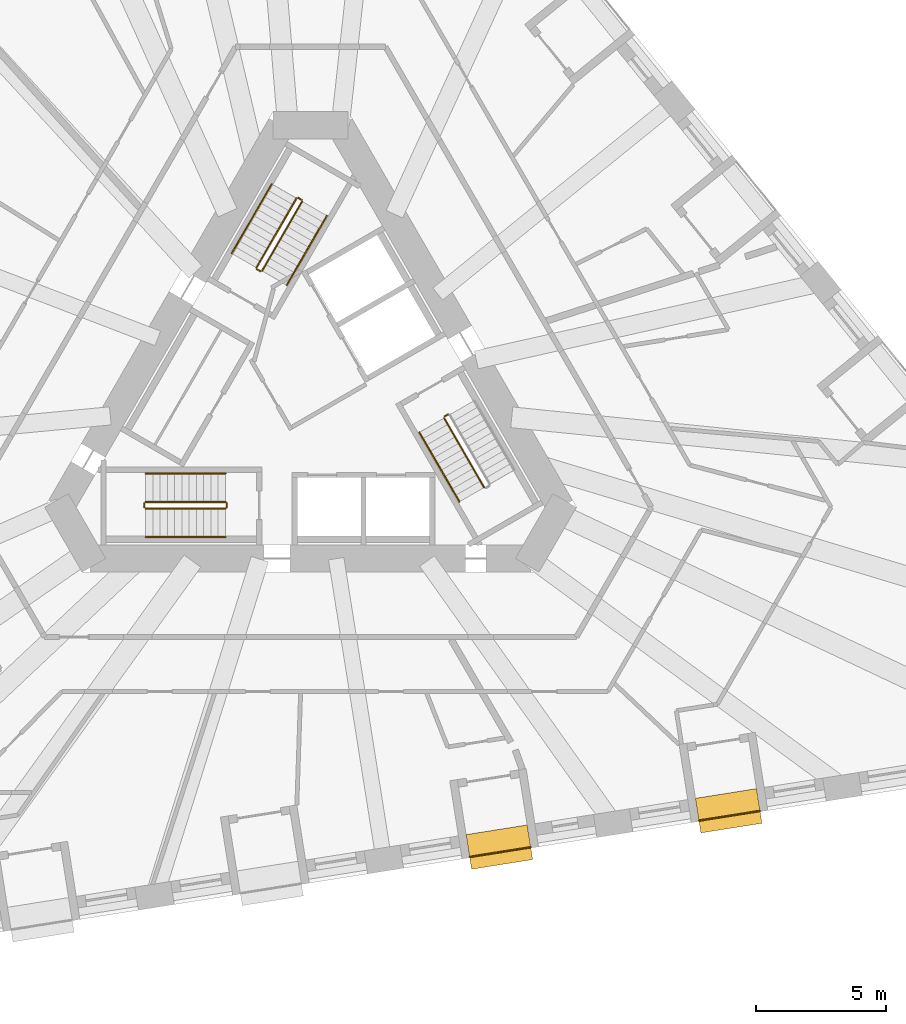
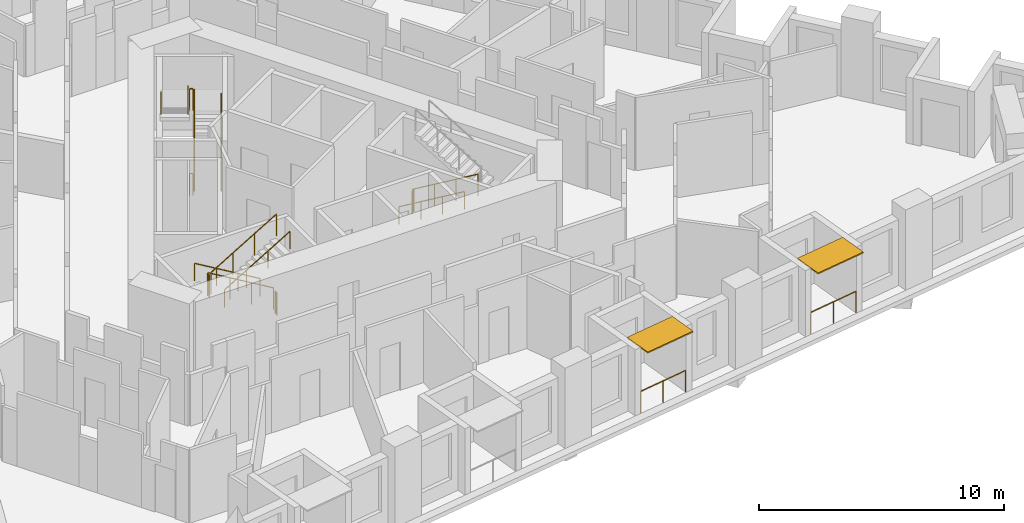
# One storey, part 12 of 14: 17 railings, 2 shading devices.
"""IFC4 building model written with IfcOpenShell, lengths in metres."""

from ifc_helpers import new_model, si_unit, direction, frame, origin, origin_2d, place, context, subcontext, project, spatial, rectangle, circle, extrude, material, layer, layer_set, type_object, element, save


model = new_model("IFC4")

# Units and contexts
model_context = context("Model", 3, precision=1e-05, world=origin(), true_north=direction((0.0, 1.0)))
body_context = subcontext(model_context, "Body", "Model", "MODEL_VIEW")
ifc_project = project(units=[si_unit("LENGTHUNIT", "METRE"), si_unit("AREAUNIT", "SQUARE_METRE"), si_unit("VOLUMEUNIT", "CUBIC_METRE"), si_unit("PLANEANGLEUNIT", "RADIAN"), si_unit("MASSUNIT", "GRAM", prefix="KILO")], contexts=[model_context])

# Site, building, storey
site_placement = place(None, origin())
site = spatial("IfcSite", under=ifc_project, at=site_placement, CompositionType="ELEMENT")
building_placement = place(site_placement, origin())
building = spatial("IfcBuilding", under=site, at=building_placement, Name="Tramontana Tower", CompositionType="ELEMENT")
storey_placement = place(building_placement, frame((0.0, 0.0, 75.199951171875)))
storey = spatial("IfcBuildingStorey", under=building, at=storey_placement, Name="L16", CompositionType="ELEMENT", Elevation=75.199951171875)

# Railings
ifc_material_1 = material(Name="Laminated glass balustrade", Category="glass")
railing_type_1 = type_object("IfcRailingType", Name="GD1 Loggia glass balustrade 1100", PredefinedType="BALUSTRADE", material=ifc_material_1)
railing_1_placement = place(storey_placement, frame((6.1318359375, -17.72900390625, 0.0)))
element("IfcRailing", 1, at=railing_1_placement, inside=storey, type_object=railing_type_1, Name="Loggia balustrade L16 G1S1.10", PredefinedType="BALUSTRADE", context=body_context, shape_type="SweptSolid", body=[
    extrude(circle(Radius=0.02392578125, at=origin_2d()), frame((0.0, 0.0, 1.076171875), z_axis=(0.987688093492, 0.15643602518, 0.0), x_axis=(-0.15643602518, 0.987688093492, 0.0)), (0.0, 0.0, 1.0), 2.383056640625),
    extrude(circle(Radius=0.02099609375, at=origin_2d()), origin(), (0.0, 0.0, 1.0), 1.052001953125),
    extrude(circle(Radius=0.02099609375, at=origin_2d()), frame((1.1767578125, 0.1865234375, 0.0)), (0.0, 0.0, 1.0), 1.052001953125),
    extrude(circle(Radius=0.02099609375, at=origin_2d()), frame((2.353759765625, 0.372802734375, 0.0)), (0.0, 0.0, 1.0), 1.052001953125),
])
railing_2_placement = place(storey_placement, frame((14.970703125, -16.3291015625, 0.0)))
element("IfcRailing", 2, at=railing_2_placement, inside=storey, type_object=railing_type_1, Name="Loggia balustrade L16 G1S1.13", PredefinedType="BALUSTRADE", context=body_context, shape_type="SweptSolid", body=[
    extrude(circle(Radius=0.02392578125, at=origin_2d()), frame((0.0, 0.0, 1.076171875), z_axis=(0.987685586014, 0.156451855793, 0.0), x_axis=(-0.156451855793, 0.987685586014, 0.0)), (0.0, 0.0, 1.0), 2.3828125),
    extrude(circle(Radius=0.02099609375, at=origin_2d()), origin(), (0.0, 0.0, 1.0), 1.052001953125),
    extrude(circle(Radius=0.02099609375, at=origin_2d()), frame((1.1767578125, 0.1865234375, 0.0)), (0.0, 0.0, 1.0), 1.052001953125),
    extrude(circle(Radius=0.02099609375, at=origin_2d()), frame((2.353515625, 0.372802734375, 0.0)), (0.0, 0.0, 1.0), 1.052001953125),
])

# Shading devices
ifc_material_2 = material(Name="Precast concrete 60 MPa", Category="concrete")
ifc_layer = layer(ifc_material_2, 0.06005859375)
ifc_layer_set = layer_set([ifc_layer], Name="SS1 Stone sunshade blade 60")
shading_device_type = type_object("IfcShadingDeviceType", Name="SS1 Stone sunshade blade 60", PredefinedType="USERDEFINED", material=ifc_layer_set)
for number, where, z_axis, x_axis, name in (
    (3, (7.2783203125, -17.35009765625, 3.239990234375), (0.0, 0.0, 1.0), (0.987688340595, 0.15643446504, 0.0), "Sunshade L16 G1S1.10"),
    (4, (16.116943359375, -15.9501953125, 3.239990234375), (0.0, 0.0, 1.0), (0.987688340595, 0.15643446504, 0.0), "Sunshade L16 G1S1.13"),
):
    element("IfcShadingDevice", number, at=place(storey_placement, frame(where, z_axis=z_axis, x_axis=x_axis)), inside=storey, type_object=shading_device_type, Name=name, ObjectType="SUNSHADE", PredefinedType="USERDEFINED", context=body_context, shape_type="SweptSolid", body=[
        extrude(rectangle(XDim=2.383056640625, YDim=1.35009765625, at=origin_2d()), origin(), (0.0, 0.0, 1.0), 0.06005859375),
    ])

# Railings
ifc_material_3 = material(Name="Painted steel", Category="steel")
railing_type_2 = type_object("IfcRailingType", Name="STAIR GUARD 1100", PredefinedType="GUARDRAIL", material=ifc_material_3)
railing_3_placement = place(storey_placement, frame((-1.867431640625, 4.865478515625, 0.166748046875)))
element("IfcRailing", 5, at=railing_3_placement, inside=storey, type_object=railing_type_2, Name="L16 ST1 stair guard 1", PredefinedType="GUARDRAIL", context=body_context, shape_type="SweptSolid", body=[
    extrude(circle(Radius=0.02392578125, at=origin_2d()), frame((0.0, 0.0, 1.076171875), z_axis=(0.429649414936, 0.744189839504, 0.511451721109), x_axis=(-0.866029832698, 0.499992328818, 0.0)), (0.0, 0.0, 1.0), 3.58447265625),
    extrude(circle(Radius=0.02099609375, at=origin_2d()), origin(), (0.0, 0.0, 1.0), 1.052001953125),
    extrude(circle(Radius=0.02099609375, at=origin_2d()), frame((0.513427734375, 0.88916015625, 0.611083984375)), (0.0, 0.0, 1.0), 1.052001953125),
    extrude(circle(Radius=0.02099609375, at=origin_2d()), frame((1.026611328125, 1.7783203125, 1.22216796875)), (0.0, 0.0, 1.0), 1.052001953125),
    extrude(circle(Radius=0.02099609375, at=origin_2d()), frame((1.5400390625, 2.66748046875, 1.833251953125)), (0.0, 0.0, 1.0), 1.052001953125),
])
railing_4_placement = place(storey_placement, frame((-0.5439453125, 7.657958984375, 2.166748046875)))
element("IfcRailing", 6, at=railing_4_placement, inside=storey, type_object=railing_type_2, Name="L16 ST1 stair guard 2", PredefinedType="GUARDRAIL", context=body_context, shape_type="SweptSolid", body=[
    extrude(circle(Radius=0.02392578125, at=origin_2d()), frame((0.0, 0.0, 1.076171875), z_axis=(-0.429649414936, -0.744189839504, 0.511451721109), x_axis=(0.866029832698, -0.499992328818, 0.0)), (0.0, 0.0, 1.0), 3.58447265625),
    extrude(circle(Radius=0.02099609375, at=origin_2d()), origin(), (0.0, 0.0, 1.0), 1.052001953125),
    extrude(circle(Radius=0.02099609375, at=origin_2d()), frame((-0.513427734375, -0.88916015625, 0.611083984375)), (0.0, 0.0, 1.0), 1.052001953125),
    extrude(circle(Radius=0.02099609375, at=origin_2d()), frame((-1.026611328125, -1.7783203125, 1.22216796875)), (0.0, 0.0, 1.0), 1.052001953125),
    extrude(circle(Radius=0.02099609375, at=origin_2d()), frame((-1.5400390625, -2.66748046875, 1.833251953125)), (0.0, 0.0, 1.0), 1.052001953125),
])
railing_5_placement = place(storey_placement, frame((-0.345703125, 7.601318359375, 2.0)))
element("IfcRailing", 7, at=railing_5_placement, inside=storey, type_object=railing_type_2, Name="L16 ST1 stair guard 3", PredefinedType="GUARDRAIL", context=body_context, shape_type="SweptSolid", body=[
    extrude(circle(Radius=0.02392578125, at=origin_2d()), frame((0.0, 0.0, 1.076171875), z_axis=(-0.866131372301, 0.499816412211, 0.0), x_axis=(-0.499816412211, -0.866131372301, 0.0)), (0.0, 0.0, 1.0), 0.14990234375),
    extrude(circle(Radius=0.02099609375, at=origin_2d()), origin(), (0.0, 0.0, 1.0), 1.052001953125),
    extrude(circle(Radius=0.02099609375, at=origin_2d()), frame((-0.1298828125, 0.074951171875, 0.0)), (0.0, 0.0, 1.0), 1.052001953125),
])
railing_6_placement = place(storey_placement, frame((-1.935791015625, 4.84716796875, 0.0)))
element("IfcRailing", 8, at=railing_6_placement, inside=storey, type_object=railing_type_2, Name="L16 ST1 stair guard 4", PredefinedType="GUARDRAIL", context=body_context, shape_type="SweptSolid", body=[
    extrude(circle(Radius=0.02392578125, at=origin_2d()), frame((0.0, 0.0, 1.076171875), z_axis=(-0.865426285481, 0.501036270542, 0.0), x_axis=(-0.501036270542, -0.865426285481, 0.0)), (0.0, 0.0, 1.0), 0.150146484375),
    extrude(circle(Radius=0.02099609375, at=origin_2d()), origin(), (0.0, 0.0, 1.0), 1.052001953125),
    extrude(circle(Radius=0.02099609375, at=origin_2d()), frame((-0.1298828125, 0.0751953125, 0.0)), (0.0, 0.0, 1.0), 1.052001953125),
])
railing_7_placement = place(storey_placement, frame((-3.280029296875, -4.050048828125, 0.166748046875)))
element("IfcRailing", 9, at=railing_7_placement, inside=storey, type_object=railing_type_2, Name="L16 ST2 stair guard 1", PredefinedType="GUARDRAIL", context=body_context, shape_type="SweptSolid", body=[
    extrude(circle(Radius=0.02392578125, at=origin_2d()), frame((0.0, 0.0, 1.076171875), z_axis=(-0.859308565015, 0.0, 0.511457515432), x_axis=(0.0, -1.0, 0.0)), (0.0, 0.0, 1.0), 3.58447265625),
    extrude(circle(Radius=0.02099609375, at=origin_2d()), origin(), (0.0, 0.0, 1.0), 1.052001953125),
    extrude(circle(Radius=0.02099609375, at=origin_2d()), frame((-1.026611328125, 0.0, 0.611083984375)), (0.0, 0.0, 1.0), 1.052001953125),
    extrude(circle(Radius=0.02099609375, at=origin_2d()), frame((-2.053466796875, 0.0, 1.22216796875)), (0.0, 0.0, 1.0), 1.052001953125),
    extrude(circle(Radius=0.02099609375, at=origin_2d()), frame((-3.080078125, 0.0, 1.833251953125)), (0.0, 0.0, 1.0), 1.052001953125),
])
railing_8_placement = place(storey_placement, frame((-6.360107421875, -4.300048828125, 2.166748046875)))
element("IfcRailing", 10, at=railing_8_placement, inside=storey, type_object=railing_type_2, Name="L16 ST2 stair guard 2", PredefinedType="GUARDRAIL", context=body_context, shape_type="SweptSolid", body=[
    extrude(circle(Radius=0.02392578125, at=origin_2d()), frame((0.0, 0.0, 1.076171875), z_axis=(0.859308565015, 0.0, 0.511457515432), x_axis=(0.0, 1.0, 0.0)), (0.0, 0.0, 1.0), 3.58447265625),
    extrude(circle(Radius=0.02099609375, at=origin_2d()), origin(), (0.0, 0.0, 1.0), 1.052001953125),
    extrude(circle(Radius=0.02099609375, at=origin_2d()), frame((1.026611328125, 0.0, 0.611083984375)), (0.0, 0.0, 1.0), 1.052001953125),
    extrude(circle(Radius=0.02099609375, at=origin_2d()), frame((2.053466796875, 0.0, 1.22216796875)), (0.0, 0.0, 1.0), 1.052001953125),
    extrude(circle(Radius=0.02099609375, at=origin_2d()), frame((3.080078125, 0.0, 1.833251953125)), (0.0, 0.0, 1.0), 1.052001953125),
])
for number, where, name in (
    (11, (-6.409912109375, -4.10009765625, 2.0), "L16 ST2 stair guard 3"),
    (12, (-3.22998046875, -4.10009765625, 0.0), "L16 ST2 stair guard 4"),
):
    element("IfcRailing", number, at=place(storey_placement, frame(where)), inside=storey, type_object=railing_type_2, Name=name, PredefinedType="GUARDRAIL", context=body_context, shape_type="SweptSolid", body=[
        extrude(circle(Radius=0.02392578125, at=origin_2d()), frame((0.0, 0.0, 1.076171875), z_axis=(0.0, -1.0, 0.0), x_axis=(1.0, 0.0, 0.0)), (0.0, 0.0, 1.0), 0.14990234375),
        extrude(circle(Radius=0.02099609375, at=origin_2d()), origin(), (0.0, 0.0, 1.0), 1.052001953125),
        extrude(circle(Radius=0.02099609375, at=origin_2d()), frame((0.0, -0.14990234375, 0.0)), (0.0, 0.0, 1.0), 1.052001953125),
    ])
railing_9_placement = place(storey_placement, frame((5.1474609375, -0.815673828125, 0.166748046875)))
element("IfcRailing", 13, at=railing_9_placement, inside=storey, type_object=railing_type_2, Name="L16 ST3 stair guard 1", PredefinedType="GUARDRAIL", context=body_context, shape_type="SweptSolid", body=[
    extrude(circle(Radius=0.02392578125, at=origin_2d()), frame((0.0, 0.0, 1.076171875), z_axis=(0.429671193721, -0.744159446956, 0.511477646425), x_axis=(0.866010015463, 0.500026652407, 0.0)), (0.0, 0.0, 1.0), 3.584228515625),
    extrude(circle(Radius=0.02099609375, at=origin_2d()), origin(), (0.0, 0.0, 1.0), 1.052001953125),
    extrude(circle(Radius=0.02099609375, at=origin_2d()), frame((0.513427734375, -0.88916015625, 0.611083984375)), (0.0, 0.0, 1.0), 1.052001953125),
    extrude(circle(Radius=0.02099609375, at=origin_2d()), frame((1.026611328125, -1.778076171875, 1.22216796875)), (0.0, 0.0, 1.0), 1.052001953125),
    extrude(circle(Radius=0.02099609375, at=origin_2d()), frame((1.5400390625, -2.667236328125, 1.833251953125)), (0.0, 0.0, 1.0), 1.052001953125),
])
railing_10_placement = place(storey_placement, frame((5.165771484375, -0.747314453125, 0.0)))
element("IfcRailing", 14, at=railing_10_placement, inside=storey, type_object=railing_type_2, Name="L16 ST3 stair guard 4", PredefinedType="GUARDRAIL", context=body_context, shape_type="SweptSolid", body=[
    extrude(circle(Radius=0.02392578125, at=origin_2d()), frame((0.0, 0.0, 1.076171875), z_axis=(0.866131372301, 0.499816412211, 0.0), x_axis=(-0.499816412211, 0.866131372301, 0.0)), (0.0, 0.0, 1.0), 0.14990234375),
    extrude(circle(Radius=0.02099609375, at=origin_2d()), origin(), (0.0, 0.0, 1.0), 1.052001953125),
    extrude(circle(Radius=0.02099609375, at=origin_2d()), frame((0.1298828125, 0.074951171875, 0.0)), (0.0, 0.0, 1.0), 1.052001953125),
])
ifc_material_4 = material(Name="Painted steel", Category="steel")
railing_type_3 = type_object("IfcRailingType", Name="STAIR HANDRAIL 900", PredefinedType="HANDRAIL", material=ifc_material_4)
railing_11_placement = place(storey_placement, frame((-0.914794921875, 4.315673828125, 0.166748046875)))
element("IfcRailing", 15, at=railing_11_placement, inside=storey, type_object=railing_type_3, Name="L16 ST1 stair handrail 1", PredefinedType="HANDRAIL", context=body_context, shape_type="SweptSolid", body=[
    extrude(circle(Radius=0.02392578125, at=origin_2d()), frame((0.0, 0.0, 0.8759765625), z_axis=(0.429671193721, 0.744159446956, 0.511477646425), x_axis=(-0.866010015463, 0.500026652407, 0.0)), (0.0, 0.0, 1.0), 3.584228515625),
    extrude(circle(Radius=0.02099609375, at=origin_2d()), origin(), (0.0, 0.0, 1.0), 0.851806640625),
    extrude(circle(Radius=0.02099609375, at=origin_2d()), frame((0.513427734375, 0.88916015625, 0.611083984375)), (0.0, 0.0, 1.0), 0.851806640625),
    extrude(circle(Radius=0.02099609375, at=origin_2d()), frame((1.026611328125, 1.778076171875, 1.22216796875)), (0.0, 0.0, 1.0), 0.851806640625),
    extrude(circle(Radius=0.02099609375, at=origin_2d()), frame((1.5400390625, 2.667236328125, 1.833251953125)), (0.0, 0.0, 1.0), 0.851806640625),
])
railing_12_placement = place(storey_placement, frame((-1.49658203125, 8.2080078125, 2.166748046875)))
element("IfcRailing", 16, at=railing_12_placement, inside=storey, type_object=railing_type_3, Name="L16 ST1 stair handrail 2", PredefinedType="HANDRAIL", context=body_context, shape_type="SweptSolid", body=[
    extrude(circle(Radius=0.02392578125, at=origin_2d()), frame((0.0, 0.0, 0.8759765625), z_axis=(-0.429649414936, -0.744189839504, 0.511451721109), x_axis=(0.866029832698, -0.499992328818, 0.0)), (0.0, 0.0, 1.0), 3.58447265625),
    extrude(circle(Radius=0.02099609375, at=origin_2d()), origin(), (0.0, 0.0, 1.0), 0.851806640625),
    extrude(circle(Radius=0.02099609375, at=origin_2d()), frame((-0.513427734375, -0.88916015625, 0.611083984375)), (0.0, 0.0, 1.0), 0.851806640625),
    extrude(circle(Radius=0.02099609375, at=origin_2d()), frame((-1.026611328125, -1.7783203125, 1.22216796875)), (0.0, 0.0, 1.0), 0.851806640625),
    extrude(circle(Radius=0.02099609375, at=origin_2d()), frame((-1.5400390625, -2.66748046875, 1.833251953125)), (0.0, 0.0, 1.0), 0.851806640625),
])
railing_13_placement = place(storey_placement, frame((-3.280029296875, -2.949951171875, 0.166748046875)))
element("IfcRailing", 17, at=railing_13_placement, inside=storey, type_object=railing_type_3, Name="L16 ST2 stair handrail 1", PredefinedType="HANDRAIL", context=body_context, shape_type="SweptSolid", body=[
    extrude(circle(Radius=0.02392578125, at=origin_2d()), frame((0.0, 0.0, 0.8759765625), z_axis=(-0.859308565015, 0.0, 0.511457515432), x_axis=(0.0, -1.0, 0.0)), (0.0, 0.0, 1.0), 3.58447265625),
    extrude(circle(Radius=0.02099609375, at=origin_2d()), origin(), (0.0, 0.0, 1.0), 0.851806640625),
    extrude(circle(Radius=0.02099609375, at=origin_2d()), frame((-1.026611328125, 0.0, 0.611083984375)), (0.0, 0.0, 1.0), 0.851806640625),
    extrude(circle(Radius=0.02099609375, at=origin_2d()), frame((-2.053466796875, 0.0, 1.22216796875)), (0.0, 0.0, 1.0), 0.851806640625),
    extrude(circle(Radius=0.02099609375, at=origin_2d()), frame((-3.080078125, 0.0, 1.833251953125)), (0.0, 0.0, 1.0), 0.851806640625),
])
railing_14_placement = place(storey_placement, frame((-6.360107421875, -5.39990234375, 2.166748046875)))
element("IfcRailing", 18, at=railing_14_placement, inside=storey, type_object=railing_type_3, Name="L16 ST2 stair handrail 2", PredefinedType="HANDRAIL", context=body_context, shape_type="SweptSolid", body=[
    extrude(circle(Radius=0.02392578125, at=origin_2d()), frame((0.0, 0.0, 0.8759765625), z_axis=(0.859308565015, 0.0, 0.511457515432), x_axis=(0.0, 1.0, 0.0)), (0.0, 0.0, 1.0), 3.58447265625),
    extrude(circle(Radius=0.02099609375, at=origin_2d()), origin(), (0.0, 0.0, 1.0), 0.851806640625),
    extrude(circle(Radius=0.02099609375, at=origin_2d()), frame((1.026611328125, 0.0, 0.611083984375)), (0.0, 0.0, 1.0), 0.851806640625),
    extrude(circle(Radius=0.02099609375, at=origin_2d()), frame((2.053466796875, 0.0, 1.22216796875)), (0.0, 0.0, 1.0), 0.851806640625),
    extrude(circle(Radius=0.02099609375, at=origin_2d()), frame((3.080078125, 0.0, 1.833251953125)), (0.0, 0.0, 1.0), 0.851806640625),
])
railing_15_placement = place(storey_placement, frame((4.19482421875, -1.365478515625, 0.166748046875)))
element("IfcRailing", 19, at=railing_15_placement, inside=storey, type_object=railing_type_3, Name="L16 ST3 stair handrail 1", PredefinedType="HANDRAIL", context=body_context, shape_type="SweptSolid", body=[
    extrude(circle(Radius=0.02392578125, at=origin_2d()), frame((0.0, 0.0, 0.8759765625), z_axis=(0.429649414936, -0.744189839504, 0.511451721109), x_axis=(0.866029832698, 0.499992328818, 0.0)), (0.0, 0.0, 1.0), 3.58447265625),
    extrude(circle(Radius=0.02099609375, at=origin_2d()), origin(), (0.0, 0.0, 1.0), 0.851806640625),
    extrude(circle(Radius=0.02099609375, at=origin_2d()), frame((0.513427734375, -0.88916015625, 0.611083984375)), (0.0, 0.0, 1.0), 0.851806640625),
    extrude(circle(Radius=0.02099609375, at=origin_2d()), frame((1.026611328125, -1.7783203125, 1.22216796875)), (0.0, 0.0, 1.0), 0.851806640625),
    extrude(circle(Radius=0.02099609375, at=origin_2d()), frame((1.5400390625, -2.66748046875, 1.833251953125)), (0.0, 0.0, 1.0), 0.851806640625),
])

save(model, "model.ifc")
